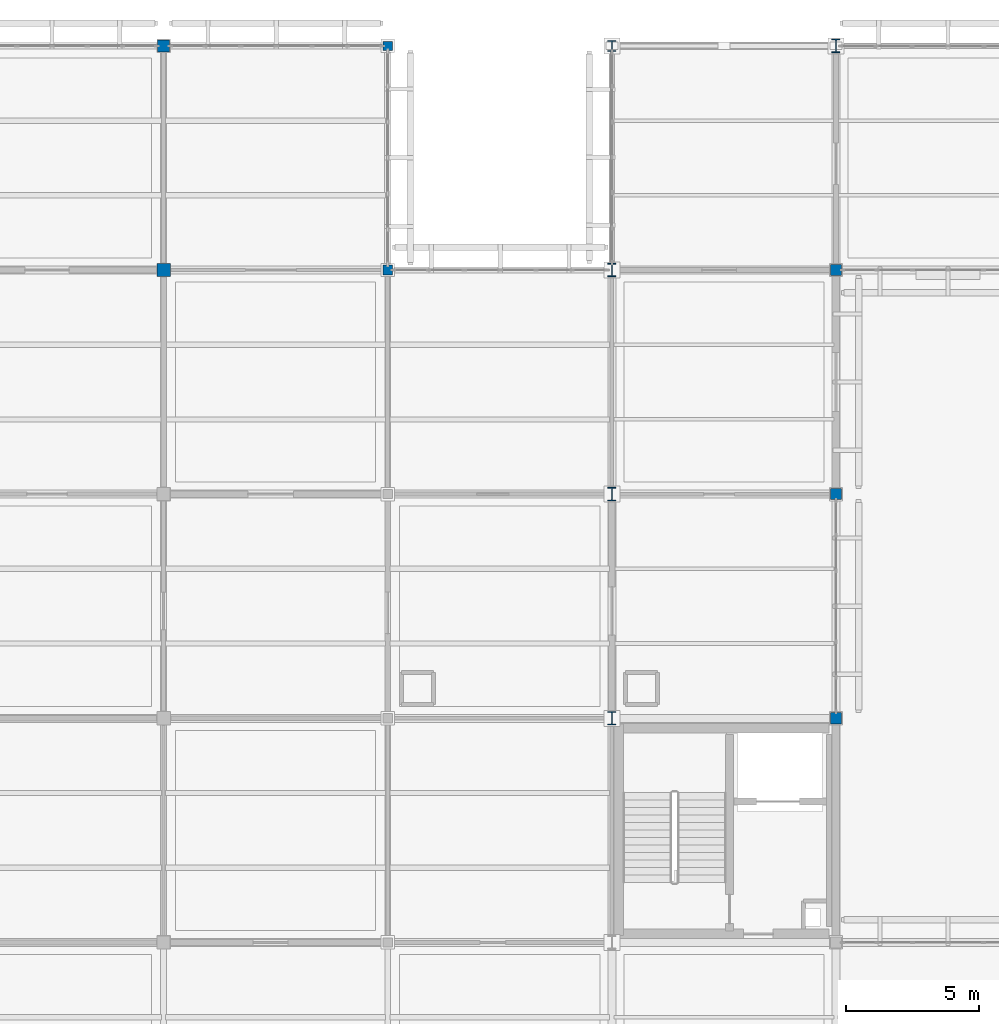
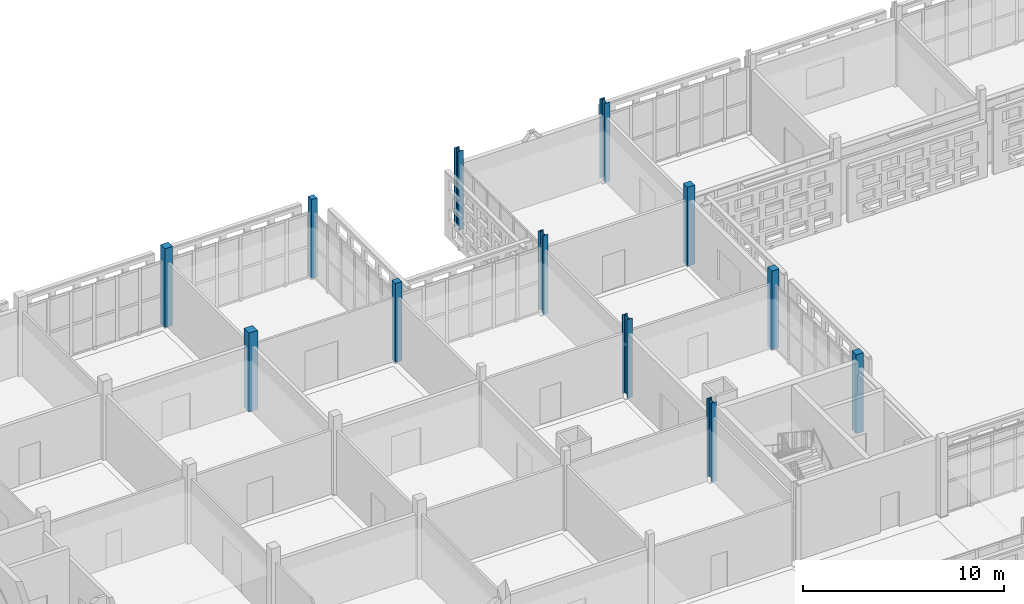
# One storey, part 6 of 203: 12 columns.
"""IFC4 building model written with IfcOpenShell, lengths in metres."""

from ifc_helpers import new_model, si_unit, direction, frame, origin, origin_2d, place, context, subcontext, project, spatial, rectangle, i_section, extrude, material, material_profile, profile_set, type_object, element, save


model = new_model("IFC4")

# Units and contexts
model_context = context("Model", 3, precision=1e-05, world=origin(), true_north=direction((0.0, 1.0)))
body_context = subcontext(model_context, "Body", "Model", "MODEL_VIEW")
ifc_project = project(units=[si_unit("LENGTHUNIT", "METRE"), si_unit("AREAUNIT", "SQUARE_METRE"), si_unit("VOLUMEUNIT", "CUBIC_METRE"), si_unit("PLANEANGLEUNIT", "RADIAN"), si_unit("MASSUNIT", "GRAM", prefix="KILO")], contexts=[model_context])

# Site, building, storey
site_placement = place(None, origin())
site = spatial("IfcSite", under=ifc_project, at=site_placement, CompositionType="ELEMENT")
building_placement = place(site_placement, origin())
building = spatial("IfcBuilding", under=site, at=building_placement, Name="Varnapada Polytechnic", CompositionType="ELEMENT")
storey_placement = place(building_placement, frame((0.0, 0.0, 4.800048828125)))
storey = spatial("IfcBuildingStorey", under=building, at=storey_placement, Name="L01", CompositionType="ELEMENT", Elevation=4.800048828125)

# Columns
ifc_material_1 = material(Name="Steel S355", Category="steel")
ifc_material_profile_1 = material_profile(ifc_material_1, i_section(OverallWidth=0.300048828125, OverallDepth=0.5, WebThickness=0.014404296875, FlangeThickness=0.028076171875, FilletRadius=0.027099609375, at=origin_2d()), Name="HEB 500")
ifc_profile_set_1 = profile_set([ifc_material_profile_1], Name="Steel S355")
column_type_1 = type_object("IfcColumnType", Name="Column C-06 (HEB 500)", PredefinedType="COLUMN", material=ifc_profile_set_1)
for number, where, z_axis, x_axis, name in (
    (1, (50.39990234375, 100.800048828125, 0.0), (0.0, 0.0, 1.0), (1.0, 0.0, 0.0), "L01 column 7/13"),
    (2, (50.39990234375, 109.199951171875, 0.0), (0.0, 0.0, 1.0), (1.0, 0.0, 0.0), "L01 column 7/14"),
    (3, (50.39990234375, 117.60009765625, 0.0), (0.0, 0.0, 1.0), (1.0, 0.0, 0.0), "L01 column 7/15"),
    (4, (58.800048828125, 126.0, 0.0), (0.0, 0.0, 1.0), (1.0, 0.0, 0.0), "L01 column 8/16"),
):
    element("IfcColumn", number, at=place(storey_placement, frame(where, z_axis=z_axis, x_axis=x_axis)), inside=storey, type_object=column_type_1, Name=name, PredefinedType="COLUMN", context=body_context, shape_type="SweptSolid", body=[
        extrude(i_section(OverallWidth=0.300048828125, OverallDepth=0.5, WebThickness=0.014404296875, FlangeThickness=0.028076171875, FilletRadius=0.027099609375, at=origin_2d()), origin(), (0.0, 0.0, 1.0), 4.800048828125),
    ])
ifc_material_profile_2 = material_profile(ifc_material_1, i_section(OverallWidth=0.300048828125, OverallDepth=0.39990234375, WebThickness=0.013427734375, FlangeThickness=0.02392578125, FilletRadius=0.027099609375, at=origin_2d()), Name="HEB 400")
ifc_profile_set_2 = profile_set([ifc_material_profile_2], Name="Steel S355")
column_type_2 = type_object("IfcColumnType", Name="Column C-08 (HEB 400)", PredefinedType="COLUMN", material=ifc_profile_set_2)
column_1_placement = place(storey_placement, frame((50.39990234375, 126.0, 0.0), z_axis=(0.0, 0.0, 1.0), x_axis=(1.0, 0.0, 0.0)))
element("IfcColumn", 5, at=column_1_placement, inside=storey, type_object=column_type_2, Name="L01 column 7/16", PredefinedType="COLUMN", context=body_context, shape_type="SweptSolid", body=[
    extrude(i_section(OverallWidth=0.300048828125, OverallDepth=0.39990234375, WebThickness=0.013427734375, FlangeThickness=0.02392578125, FilletRadius=0.027099609375, at=origin_2d()), origin(), (0.0, 0.0, 1.0), 4.800048828125),
])
ifc_material_2 = material(Name="Glulam GL32h", Category="wood")
ifc_material_profile_3 = material_profile(ifc_material_2, rectangle(XDim=0.360107421875, YDim=0.360107421875, at=origin_2d()), Name="GL 360x360")
ifc_profile_set_3 = profile_set([ifc_material_profile_3], Name="Glulam GL32h")
column_type_3 = type_object("IfcColumnType", Name="Column C-14 (GL 360x360)", PredefinedType="COLUMN", material=ifc_profile_set_3)
column_2_placement = place(storey_placement, frame((42.0, 117.60009765625, 0.0), z_axis=(0.0, 0.0, 1.0), x_axis=(1.0, 0.0, 0.0)))
element("IfcColumn", 6, at=column_2_placement, inside=storey, type_object=column_type_3, Name="L01 column 6/15", PredefinedType="COLUMN", context=body_context, shape_type="SweptSolid", body=[
    extrude(rectangle(XDim=0.360107421875, YDim=0.360107421875, at=origin_2d()), origin(), (0.0, 0.0, 1.0), 4.800048828125),
])
ifc_material_profile_4 = material_profile(ifc_material_2, rectangle(XDim=0.5, YDim=0.5, at=origin_2d()), Name="GL 500x500")
ifc_profile_set_4 = profile_set([ifc_material_profile_4], Name="Glulam GL32h")
column_type_4 = type_object("IfcColumnType", Name="Column C-22 (GL 500x500)", PredefinedType="COLUMN", material=ifc_profile_set_4)
column_3_placement = place(storey_placement, frame((33.60009765625, 117.60009765625, 0.0), z_axis=(0.0, 0.0, 1.0), x_axis=(1.0, 0.0, 0.0)))
element("IfcColumn", 7, at=column_3_placement, inside=storey, type_object=column_type_4, Name="L01 column 5/15", PredefinedType="COLUMN", context=body_context, shape_type="SweptSolid", body=[
    extrude(rectangle(XDim=0.5, YDim=0.5, at=origin_2d()), origin(), (0.0, 0.0, 1.0), 4.800048828125),
])
ifc_material_profile_5 = material_profile(ifc_material_2, rectangle(XDim=0.419921875, YDim=0.419921875, at=origin_2d()), Name="GL 420x420")
ifc_profile_set_5 = profile_set([ifc_material_profile_5], Name="Glulam GL32h")
column_type_5 = type_object("IfcColumnType", Name="Column C-23 (GL 420x420)", PredefinedType="COLUMN", material=ifc_profile_set_5)
for number, where, z_axis, x_axis, name in (
    (8, (58.800048828125, 100.800048828125, 0.0), (0.0, 0.0, 1.0), (1.0, 0.0, 0.0), "L01 column 8/13"),
    (9, (58.800048828125, 109.199951171875, 0.0), (0.0, 0.0, 1.0), (1.0, 0.0, 0.0), "L01 column 8/14"),
    (10, (58.800048828125, 117.60009765625, 0.0), (0.0, 0.0, 1.0), (1.0, 0.0, 0.0), "L01 column 8/15"),
):
    element("IfcColumn", number, at=place(storey_placement, frame(where, z_axis=z_axis, x_axis=x_axis)), inside=storey, type_object=column_type_5, Name=name, PredefinedType="COLUMN", context=body_context, shape_type="SweptSolid", body=[
        extrude(rectangle(XDim=0.419921875, YDim=0.419921875, at=origin_2d()), origin(), (0.0, 0.0, 1.0), 4.800048828125),
    ])
ifc_material_profile_6 = material_profile(ifc_material_2, rectangle(XDim=0.43994140625, YDim=0.43994140625, at=origin_2d()), Name="GL 440x440")
ifc_profile_set_6 = profile_set([ifc_material_profile_6], Name="Glulam GL32h")
column_type_6 = type_object("IfcColumnType", Name="Column C-26 (GL 440x440)", PredefinedType="COLUMN", material=ifc_profile_set_6)
column_4_placement = place(storey_placement, frame((33.60009765625, 126.0, 0.0), z_axis=(0.0, 0.0, 1.0), x_axis=(1.0, 0.0, 0.0)))
element("IfcColumn", 11, at=column_4_placement, inside=storey, type_object=column_type_6, Name="L01 column 5/16", PredefinedType="COLUMN", context=body_context, shape_type="SweptSolid", body=[
    extrude(rectangle(XDim=0.43994140625, YDim=0.43994140625, at=origin_2d()), origin(), (0.0, 0.0, 1.0), 4.800048828125),
])
ifc_material_profile_7 = material_profile(ifc_material_2, rectangle(XDim=0.340087890625, YDim=0.340087890625, at=origin_2d()), Name="GL 340x340")
ifc_profile_set_7 = profile_set([ifc_material_profile_7], Name="Glulam GL32h")
column_type_7 = type_object("IfcColumnType", Name="Column C-27 (GL 340x340)", PredefinedType="COLUMN", material=ifc_profile_set_7)
column_5_placement = place(storey_placement, frame((42.0, 126.0, 0.0), z_axis=(0.0, 0.0, 1.0), x_axis=(1.0, 0.0, 0.0)))
element("IfcColumn", 12, at=column_5_placement, inside=storey, type_object=column_type_7, Name="L01 column 6/16", PredefinedType="COLUMN", context=body_context, shape_type="SweptSolid", body=[
    extrude(rectangle(XDim=0.340087890625, YDim=0.340087890625, at=origin_2d()), origin(), (0.0, 0.0, 1.0), 4.800048828125),
])

save(model, "model.ifc")
